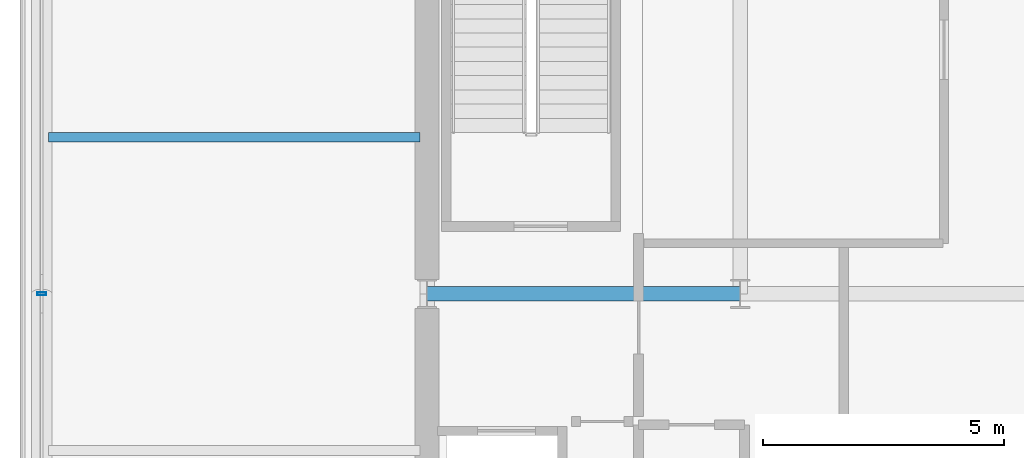
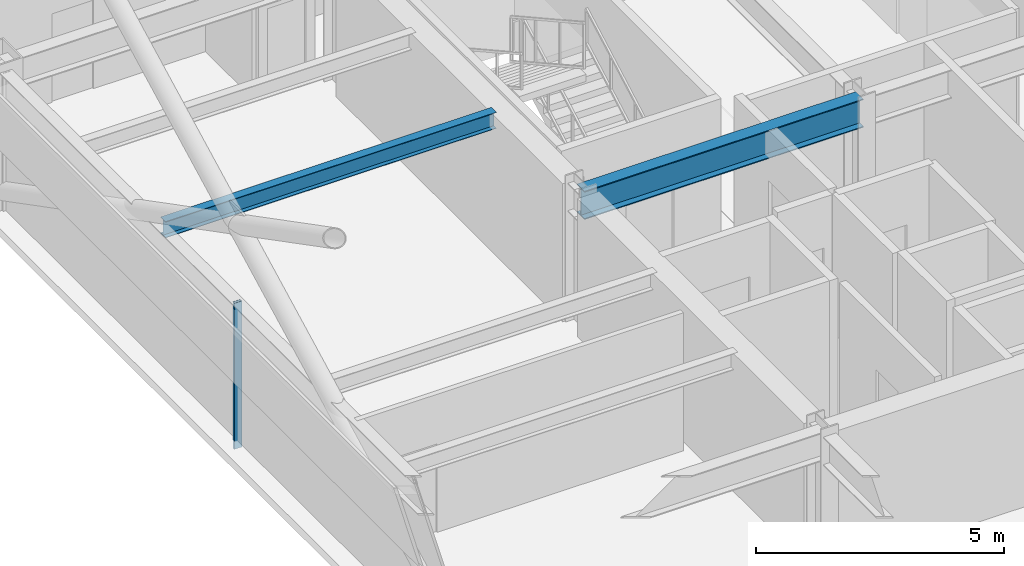
# One storey, part 9 of 35: 2 beams, 1 member, 1 element without a shape of its own.
"""IFC4 building model written with IfcOpenShell, lengths in metres."""

from ifc_helpers import new_model, si_unit, direction, frame, origin, origin_2d, place, context, subcontext, project, spatial, hollow_rectangle, i_section, extrude, material, layer, layer_set, material_profile, profile_set, type_object, element, aggregate, save


model = new_model("IFC4")

# Units and contexts
model_context = context("Model", 3, precision=1e-05, world=origin(), true_north=direction((0.0, 1.0)))
body_context = subcontext(model_context, "Body", "Model", "MODEL_VIEW")
ifc_project = project(units=[si_unit("LENGTHUNIT", "METRE"), si_unit("AREAUNIT", "SQUARE_METRE"), si_unit("VOLUMEUNIT", "CUBIC_METRE"), si_unit("PLANEANGLEUNIT", "RADIAN"), si_unit("MASSUNIT", "GRAM", prefix="KILO")], contexts=[model_context])

# Site, building, storey
site_placement = place(None, origin())
site = spatial("IfcSite", under=ifc_project, at=site_placement, CompositionType="ELEMENT")
building_placement = place(site_placement, origin())
building = spatial("IfcBuilding", under=site, at=building_placement, Name="Brelmoor Portico Tower", CompositionType="ELEMENT")
storey_placement = place(building_placement, frame((0.0, 0.0, 131.39990234375)))
storey = spatial("IfcBuildingStorey", under=building, at=storey_placement, Name="L34", CompositionType="ELEMENT", Elevation=131.39990234375)

# Beams
ifc_material_1 = material(Name="Steel Q355B", Category="steel")
ifc_material_profile_1 = material_profile(ifc_material_1, i_section(OverallWidth=0.199951171875, OverallDepth=0.39990234375, WebThickness=0.008056640625, FlangeThickness=0.012939453125, at=origin_2d()), Name="HN 400x200x8x13")
ifc_profile_set_1 = profile_set([ifc_material_profile_1], Name="Steel Q355B")
beam_type_1 = type_object("IfcBeamType", Name="BM-JS-400", PredefinedType="JOIST", material=ifc_profile_set_1)
beam_1_placement = place(storey_placement, frame((-22.409912109375, 3.25, 3.2001953125), z_axis=(1.0, 0.0, 0.0), x_axis=(0.0, 1.0, 0.0)))
element("IfcBeam", 1, at=beam_1_placement, inside=storey, type_object=beam_type_1, Name="L34 Secondary Wing Joist JS-W07", PredefinedType="JOIST", context=body_context, shape_type="SweptSolid", body=[
    extrude(i_section(OverallWidth=0.199951171875, OverallDepth=0.39990234375, WebThickness=0.008056640625, FlangeThickness=0.012939453125, at=origin_2d()), origin(), (0.0, 0.0, 1.0), 7.7099609375),
])
ifc_material_profile_2 = material_profile(ifc_material_1, i_section(OverallWidth=0.300048828125, OverallDepth=0.699951171875, WebThickness=0.012939453125, FlangeThickness=0.02392578125, at=origin_2d()), Name="HN 700x300x13x24")
ifc_profile_set_2 = profile_set([ifc_material_profile_2], Name="Steel Q355B")
beam_type_2 = type_object("IfcBeamType", Name="BM-PG-700", PredefinedType="BEAM", material=ifc_profile_set_2)
beam_2_placement = place(storey_placement, frame((-14.550048828125, 0.0, 3.050048828125), z_axis=(1.0, 0.0, 0.0), x_axis=(0.0, 1.0, 0.0)))
element("IfcBeam", 2, at=beam_2_placement, inside=storey, type_object=beam_type_2, Name="L34 Primary Floor Girder PG-19", PredefinedType="BEAM", context=body_context, shape_type="SweptSolid", body=[
    extrude(i_section(OverallWidth=0.300048828125, OverallDepth=0.699951171875, WebThickness=0.012939453125, FlangeThickness=0.02392578125, at=origin_2d()), origin(), (0.0, 0.0, 1.0), 6.5),
])

# Curtain wall, member
ifc_material_2 = material(Name="Anodised Aluminium Alloy 6063-T6", Category="aluminium")
ifc_layer = layer(ifc_material_2, 0.179931640625)
ifc_layer_set = layer_set([ifc_layer], Name="Anodised Aluminium Alloy 6063-T6")
curtain_wall_type = type_object("IfcCurtainWallType", Name="CW-TOWER-Z2-XB", PredefinedType="NOTDEFINED", material=ifc_layer_set)
curtain_wall_placement = place(storey_placement, origin())
curtain_wall = element("IfcCurtainWall", 3, at=curtain_wall_placement, inside=storey, type_object=curtain_wall_type, Name="L34 Curtain Wall CW-L34-03-2", PredefinedType="NOTDEFINED")
ifc_material_profile_3 = material_profile(ifc_material_2, hollow_rectangle(XDim=0.06494140625, YDim=0.179931640625, WallThickness=0.00390625, at=origin_2d()), Name="ALU MULLION 65x180")
ifc_profile_set_3 = profile_set([ifc_material_profile_3], Name="Anodised Aluminium Alloy 6063-T6")
member_type = type_object("IfcMemberType", Name="MB-CW-MULL-180", PredefinedType="MULLION", material=ifc_profile_set_3)
member_placement = place(storey_placement, frame((-22.550048828125, 0.0, -0.199951171875), z_axis=(0.0, 0.0, 1.0), x_axis=(0.0, 1.0, 0.0)))
member = element("IfcMember", 4, at=member_placement, type_object=member_type, Name="CW-L34-03-2 Mullion 01", PredefinedType="MULLION", context=body_context, shape_type="SweptSolid", body=[
    extrude(hollow_rectangle(XDim=0.06494140625, YDim=0.179931640625, WallThickness=0.00390625, at=origin_2d()), origin(), (0.0, 0.0, 1.0), 3.60009765625),
])
aggregate(curtain_wall, [member])

save(model, "model.ifc")
